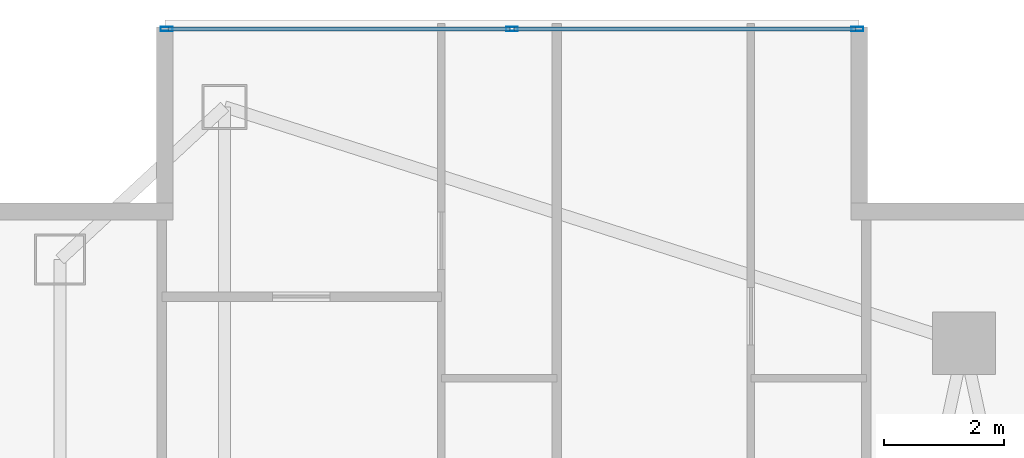
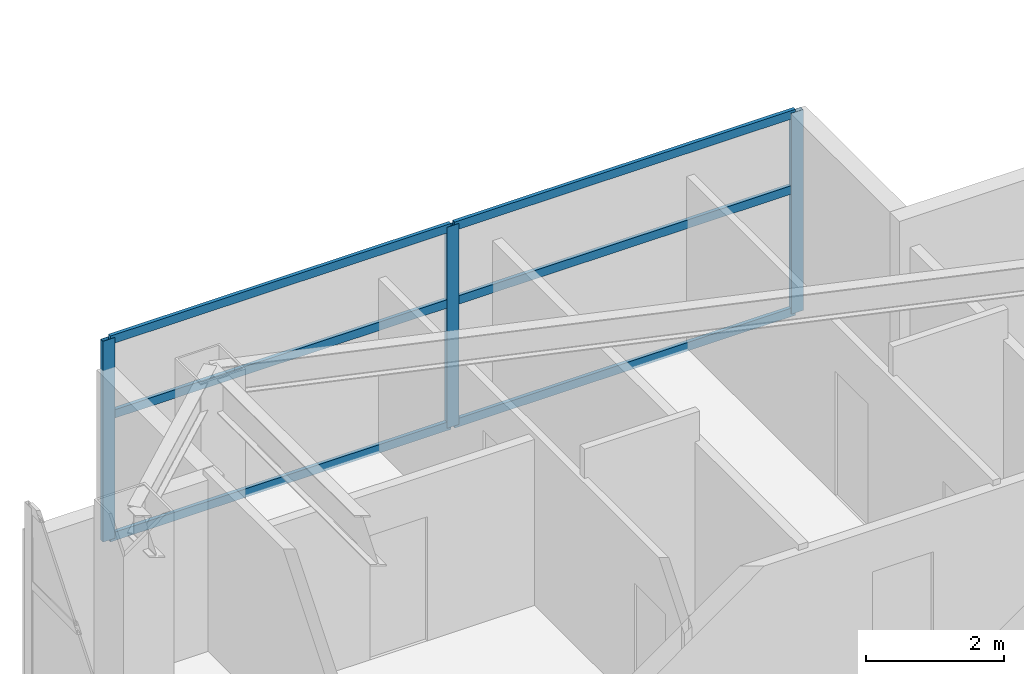
# One storey, part 19 of 28: 9 members, 1 element without a shape of its own.
"""IFC4 building model written with IfcOpenShell, lengths in metres."""

from ifc_helpers import new_model, si_unit, direction, frame, origin, origin_2d, place, context, subcontext, project, spatial, hollow_rectangle, extrude, material, layer, layer_set, material_profile, profile_set, type_object, element, aggregate, save


model = new_model("IFC4")

# Units and contexts
model_context = context("Model", 3, precision=1e-05, world=origin(), true_north=direction((0.0, 1.0)))
body_context = subcontext(model_context, "Body", "Model", "MODEL_VIEW")
ifc_project = project(units=[si_unit("LENGTHUNIT", "METRE"), si_unit("AREAUNIT", "SQUARE_METRE"), si_unit("VOLUMEUNIT", "CUBIC_METRE"), si_unit("PLANEANGLEUNIT", "RADIAN"), si_unit("MASSUNIT", "GRAM", prefix="KILO")], contexts=[model_context])

# Site, building, storey
site_placement = place(None, origin())
site = spatial("IfcSite", under=ifc_project, at=site_placement, CompositionType="ELEMENT")
building_placement = place(site_placement, origin())
building = spatial("IfcBuilding", under=site, at=building_placement, Name="Calvorn Quay Hotel", CompositionType="ELEMENT")
storey_placement = place(building_placement, frame((0.0, 0.0, 159.89990234375)))
storey = spatial("IfcBuildingStorey", under=building, at=storey_placement, Name="L39", CompositionType="ELEMENT", Elevation=159.89990234375)

# Curtain wall, members
ifc_material_1 = material(Name="Pale Anodised Aluminium and Low-E Glass", Category="aluminium")
ifc_layer = layer(ifc_material_1, 0.219970703125)
ifc_layer_set = layer_set([ifc_layer], Name="CW-SYS-Z2")
curtain_wall_type = type_object("IfcCurtainWallType", Name="CW-SYS-Z2", PredefinedType="NOTDEFINED", material=ifc_layer_set)
curtain_wall_placement = place(storey_placement, origin())
curtain_wall = element("IfcCurtainWall", 1, at=curtain_wall_placement, inside=storey, type_object=curtain_wall_type, Name="Inner Court Curtain Wall L39-N1", PredefinedType="NOTDEFINED")
ifc_material_2 = material(Name="Pale Anodised Aluminium 6063-T6", Category="aluminium")
ifc_material_profile_1 = material_profile(ifc_material_2, hollow_rectangle(XDim=0.070068359375, YDim=0.199951171875, WallThickness=0.00390625, at=origin_2d()), Name="ALU-M200x70x4")
ifc_profile_set_1 = profile_set([ifc_material_profile_1], Name="Pale Anodised Aluminium 6063-T6")
member_type_1 = type_object("IfcMemberType", Name="CW-SYS-Z2-MUL", PredefinedType="MULLION", material=ifc_profile_set_1)
member_1_placement = place(storey_placement, frame((14.77001953125, 50.85009765625, 0.0), z_axis=(0.0, 0.0, 1.0), x_axis=(0.0, -1.0, 0.0)))
member_1 = element("IfcMember", 2, at=member_1_placement, type_object=member_type_1, Name="CW-L39-N1 mullion 1", PredefinedType="MULLION", context=body_context, shape_type="SweptSolid", body=[
    extrude(hollow_rectangle(XDim=0.070068359375, YDim=0.199951171875, WallThickness=0.00390625, at=origin_2d()), origin(), (0.0, 0.0, 1.0), 3.56005859375),
])
member_2_placement = place(storey_placement, frame((9.0, 50.85009765625, 0.0), z_axis=(0.0, 0.0, 1.0), x_axis=(0.0, -1.0, 0.0)))
member_2 = element("IfcMember", 3, at=member_2_placement, type_object=member_type_1, Name="CW-L39-N1 mullion 2", PredefinedType="MULLION", context=body_context, shape_type="SweptSolid", body=[
    extrude(hollow_rectangle(XDim=0.070068359375, YDim=0.199951171875, WallThickness=0.00390625, at=origin_2d()), origin(), (0.0, 0.0, 1.0), 3.56005859375),
])
member_3_placement = place(storey_placement, frame((3.22998046875, 50.85009765625, 0.0), z_axis=(0.0, 0.0, 1.0), x_axis=(0.0, -1.0, 0.0)))
member_3 = element("IfcMember", 4, at=member_3_placement, type_object=member_type_1, Name="CW-L39-N1 mullion 3", PredefinedType="MULLION", context=body_context, shape_type="SweptSolid", body=[
    extrude(hollow_rectangle(XDim=0.070068359375, YDim=0.199951171875, WallThickness=0.00390625, at=origin_2d()), origin(), (0.0, 0.0, 1.0), 3.56005859375),
])
ifc_material_3 = material(Name="Pale Anodised Aluminium 6063-T6", Category="aluminium")
ifc_material_profile_2 = material_profile(ifc_material_3, hollow_rectangle(XDim=0.06005859375, YDim=0.14990234375, WallThickness=0.00341796875, at=origin_2d()), Name="ALU-T150x60x3.5")
ifc_profile_set_2 = profile_set([ifc_material_profile_2], Name="Pale Anodised Aluminium 6063-T6")
member_type_2 = type_object("IfcMemberType", Name="CW-SYS-Z2-TRN", PredefinedType="USERDEFINED", material=ifc_profile_set_2)
member_4_placement = place(storey_placement, frame((14.739990234375, 50.85009765625, 0.030029296875), z_axis=(-1.0, 0.0, 0.0), x_axis=(0.0, -1.0, 0.0)))
member_4 = element("IfcMember", 5, at=member_4_placement, type_object=member_type_2, Name="CW-L39-N1 transom 1.1", ObjectType="TRANSOM", PredefinedType="USERDEFINED", context=body_context, shape_type="SweptSolid", body=[
    extrude(hollow_rectangle(XDim=0.06005859375, YDim=0.14990234375, WallThickness=0.00341796875, at=origin_2d()), origin(), (0.0, 0.0, 1.0), 5.7099609375),
])
member_5_placement = place(storey_placement, frame((14.739990234375, 50.85009765625, 2.2001953125), z_axis=(-1.0, 0.0, 0.0), x_axis=(0.0, -1.0, 0.0)))
member_5 = element("IfcMember", 6, at=member_5_placement, type_object=member_type_2, Name="CW-L39-N1 transom 1.2", ObjectType="TRANSOM", PredefinedType="USERDEFINED", context=body_context, shape_type="SweptSolid", body=[
    extrude(hollow_rectangle(XDim=0.06005859375, YDim=0.14990234375, WallThickness=0.00341796875, at=origin_2d()), origin(), (0.0, 0.0, 1.0), 5.7099609375),
])
member_6_placement = place(storey_placement, frame((14.739990234375, 50.85009765625, 3.530029296875), z_axis=(-1.0, 0.0, 0.0), x_axis=(0.0, -1.0, 0.0)))
member_6 = element("IfcMember", 7, at=member_6_placement, type_object=member_type_2, Name="CW-L39-N1 transom 1.3", ObjectType="TRANSOM", PredefinedType="USERDEFINED", context=body_context, shape_type="SweptSolid", body=[
    extrude(hollow_rectangle(XDim=0.06005859375, YDim=0.14990234375, WallThickness=0.00341796875, at=origin_2d()), origin(), (0.0, 0.0, 1.0), 5.7099609375),
])
member_7_placement = place(storey_placement, frame((8.969970703125, 50.85009765625, 0.030029296875), z_axis=(-1.0, 0.0, 0.0), x_axis=(0.0, -1.0, 0.0)))
member_7 = element("IfcMember", 8, at=member_7_placement, type_object=member_type_2, Name="CW-L39-N1 transom 2.1", ObjectType="TRANSOM", PredefinedType="USERDEFINED", context=body_context, shape_type="SweptSolid", body=[
    extrude(hollow_rectangle(XDim=0.06005859375, YDim=0.14990234375, WallThickness=0.00341796875, at=origin_2d()), origin(), (0.0, 0.0, 1.0), 5.7099609375),
])
member_8_placement = place(storey_placement, frame((8.969970703125, 50.85009765625, 2.2001953125), z_axis=(-1.0, 0.0, 0.0), x_axis=(0.0, -1.0, 0.0)))
member_8 = element("IfcMember", 9, at=member_8_placement, type_object=member_type_2, Name="CW-L39-N1 transom 2.2", ObjectType="TRANSOM", PredefinedType="USERDEFINED", context=body_context, shape_type="SweptSolid", body=[
    extrude(hollow_rectangle(XDim=0.06005859375, YDim=0.14990234375, WallThickness=0.00341796875, at=origin_2d()), origin(), (0.0, 0.0, 1.0), 5.7099609375),
])
member_9_placement = place(storey_placement, frame((8.969970703125, 50.85009765625, 3.530029296875), z_axis=(-1.0, 0.0, 0.0), x_axis=(0.0, -1.0, 0.0)))
member_9 = element("IfcMember", 10, at=member_9_placement, type_object=member_type_2, Name="CW-L39-N1 transom 2.3", ObjectType="TRANSOM", PredefinedType="USERDEFINED", context=body_context, shape_type="SweptSolid", body=[
    extrude(hollow_rectangle(XDim=0.06005859375, YDim=0.14990234375, WallThickness=0.00341796875, at=origin_2d()), origin(), (0.0, 0.0, 1.0), 5.7099609375),
])
aggregate(curtain_wall, [member_1, member_2, member_3, member_4, member_5, member_6, member_7, member_8, member_9])

save(model, "model.ifc")
